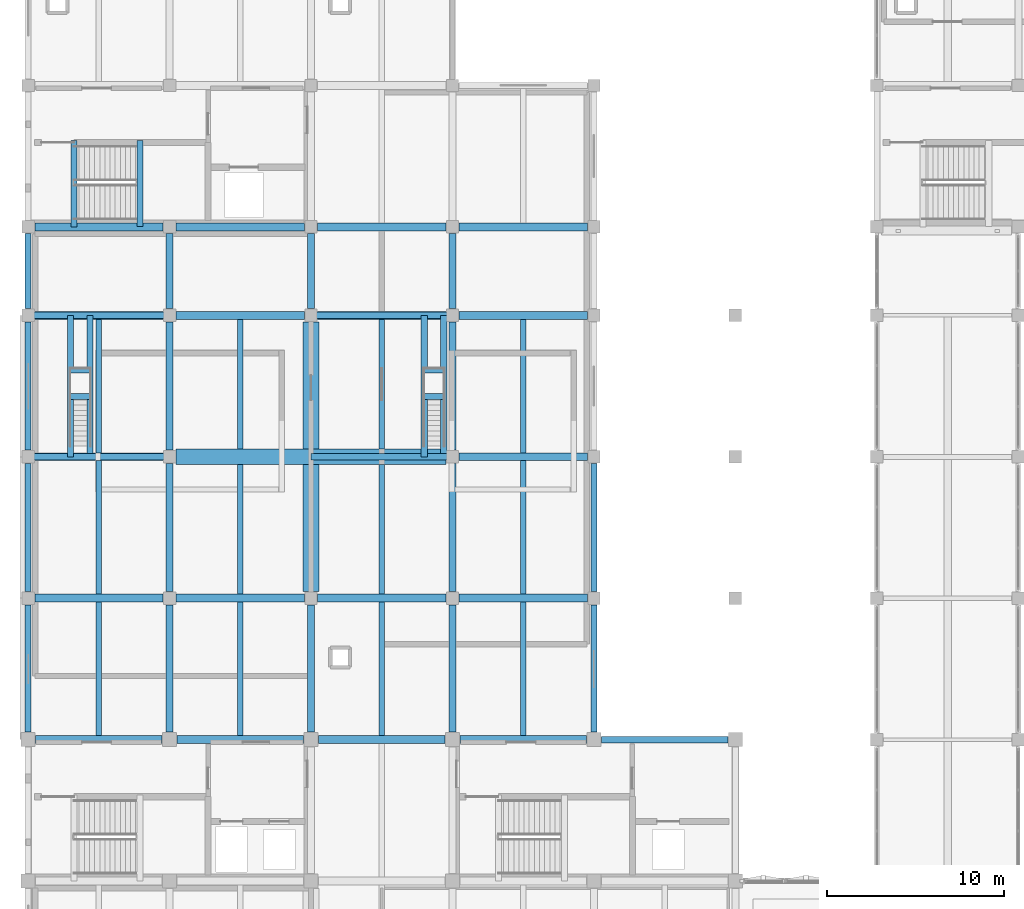
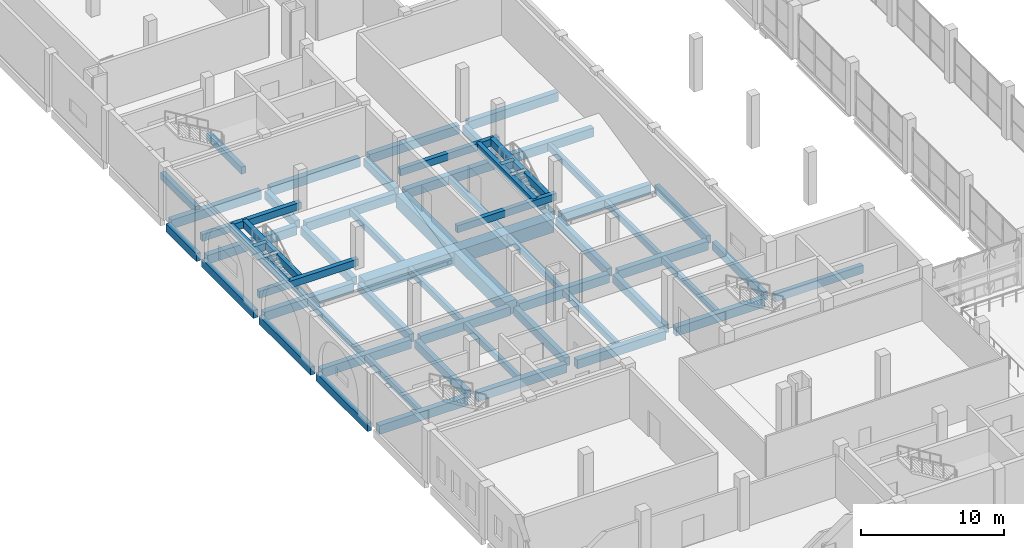
# One storey, part 9 of 45: 63 beams.
"""IFC4 building model written with IfcOpenShell, lengths in metres."""

import ifcopenshell
import ifcopenshell.guid

model = None  # the IFC model being written
_history = None  # IfcOwnerHistory: only IFC2X3 demands one
_inside = {}  # id of a spatial element -> (the spatial element, [elements in it])
_under = {}  # id of a project, library or spatial element -> (it, [spatial elements below it])
_declared = {}  # id of a project -> (the project, [libraries it declares])
_typed = {}  # id of a type object -> (the type object, [elements of that type])
_made_of = {}  # id of a material, layer set ... -> (it, [elements and type objects made of it])


def new_model(schema):
    """Start an empty IFC model of exactly this schema.

    Asked for "IFC4X3", IfcOpenShell would pick the latest addendum, in which some entities
    have other attributes; the version numbers below select the first issue.
    IFC2X3 requires an IfcOwnerHistory on every rooted entity: one is made here for all.
    """
    global model, _history
    if schema == "IFC4X3":
        model = ifcopenshell.file(schema_version=(4, 3, 0, 0))
    else:
        model = ifcopenshell.file(schema=schema)
    _inside.clear()
    _under.clear()
    _declared.clear()
    _typed.clear()
    _made_of.clear()
    _history = None
    if model.schema == "IFC2X3":
        org = make("IfcOrganization", Name="unknown")
        user = make(
            "IfcPersonAndOrganization",
            ThePerson=make("IfcPerson", FamilyName="unknown"),
            TheOrganization=org,
        )
        app = make(
            "IfcApplication",
            ApplicationDeveloper=org,
            Version="unknown",
            ApplicationFullName="unknown",
            ApplicationIdentifier="unknown",
        )
        _history = make(
            "IfcOwnerHistory",
            OwningUser=user,
            OwningApplication=app,
            ChangeAction="ADDED",
            CreationDate=0,
        )
    return model


def make(cls, **values):
    """One entity of the class cls with the attributes given. An attribute that is None is left unset."""
    return model.create_entity(
        cls, **{name: value for name, value in values.items() if value is not None}
    )


def rooted(cls, **values):
    """An entity with a GlobalId (a new one), such as an element, a storey or a relation."""
    return make(cls, GlobalId=ifcopenshell.guid.new(), OwnerHistory=_history, **values)


def si_unit(unit_type, name, prefix=None):
    """IfcSIUnit, for example si_unit("LENGTHUNIT", "METRE", prefix="MILLI")."""
    return make("IfcSIUnit", UnitType=unit_type, Prefix=prefix, Name=name)


def assignment(units):
    """IfcUnitAssignment: the units of a project."""
    return None if units is None else make("IfcUnitAssignment", Units=units)


def point(xyz):
    """IfcCartesianPoint."""
    return None if xyz is None else make("IfcCartesianPoint", Coordinates=xyz)


def direction(xyz):
    """IfcDirection."""
    return None if xyz is None else make("IfcDirection", DirectionRatios=xyz)


def frame(location, z_axis=None, x_axis=None):
    """IfcAxis2Placement3D, a coordinate frame: its origin and axes. An axis left out is left unset."""
    return make(
        "IfcAxis2Placement3D",
        Location=point(location),
        Axis=direction(z_axis),
        RefDirection=direction(x_axis),
    )


def frame_2d(location, x_axis=None):
    """IfcAxis2Placement2D, a coordinate frame in the plane: its origin and x axis."""
    return make(
        "IfcAxis2Placement2D", Location=point(location), RefDirection=direction(x_axis)
    )


def origin():
    """The frame at (0, 0, 0) with its axes left unset."""
    return frame((0.0, 0.0, 0.0))


def origin_2d():
    """The frame at (0, 0) in the plane with its x axis left unset."""
    return frame_2d((0.0, 0.0))


def place(relative_to, where):
    """IfcLocalPlacement: puts the frame where relative to a parent placement (None: the world)."""
    return make(
        "IfcLocalPlacement", PlacementRelTo=relative_to, RelativePlacement=where
    )


def context(
    kind, dimensions, precision=None, world=None, true_north=None, identifier=None
):
    """IfcGeometricRepresentationContext, for example the 3D "Model" context."""
    return make(
        "IfcGeometricRepresentationContext",
        ContextIdentifier=identifier,
        ContextType=kind,
        CoordinateSpaceDimension=dimensions,
        Precision=precision,
        WorldCoordinateSystem=world,
        TrueNorth=true_north,
    )


def subcontext(parent, identifier, kind, view, scale=None):
    """IfcGeometricRepresentationSubContext, for example "Body" below "Model"."""
    return make(
        "IfcGeometricRepresentationSubContext",
        ContextIdentifier=identifier,
        ContextType=kind,
        ParentContext=parent,
        TargetScale=scale,
        TargetView=view,
    )


def project(units=None, contexts=None):
    """IfcProject with its units and contexts."""
    return rooted(
        "IfcProject",
        Name="project",
        RepresentationContexts=contexts,
        UnitsInContext=assignment(units),
    )


def spatial(cls, under=None, at=None, **own):
    """A site, building, storey or space (cls), placed at a placement, below another one or the project."""
    s = rooted(cls, ObjectPlacement=at, **own)
    if under is not None:
        _under.setdefault(under.id(), (under, []))[1].append(s)
    return s


def profile(cls, at=None, kind="AREA", **sizes):
    """A parametric profile (cls). Its sizes go by their IFC names, for example OverallWidth=200.0."""
    return make(cls, ProfileType=kind, Position=at, **sizes)


def rectangle(**sizes):
    """IfcRectangleProfileDef."""
    return profile("IfcRectangleProfileDef", **sizes)


def extrude(swept, where, along, depth):
    """IfcExtrudedAreaSolid: the profile swept, set in the frame where, extruded along a direction by depth."""
    return make(
        "IfcExtrudedAreaSolid",
        SweptArea=swept,
        Position=where,
        ExtrudedDirection=direction(along),
        Depth=depth,
    )


def shape(context_of_items, identifier, shape_type, items):
    """IfcShapeRepresentation: the items that make up one representation, for example the "Body"."""
    return make(
        "IfcShapeRepresentation",
        ContextOfItems=context_of_items,
        RepresentationIdentifier=identifier,
        RepresentationType=shape_type,
        Items=items,
    )


def material(Name=None, Category=None):
    """IfcMaterial."""
    return make("IfcMaterial", Name=Name, Category=Category)


def material_profile(
    of_material, cross_section, Name=None, Category=None, Priority=None
):
    """IfcMaterialProfile: a cross section and its material."""
    return make(
        "IfcMaterialProfile",
        Name=Name,
        Material=of_material,
        Profile=cross_section,
        Priority=Priority,
        Category=Category,
    )


def profile_set(profiles, Name=None, composite=None):
    """IfcMaterialProfileSet."""
    return make(
        "IfcMaterialProfileSet",
        Name=Name,
        MaterialProfiles=profiles,
        CompositeProfile=composite,
    )


def made_of(thing, what):
    """Note that an element or type object is made of a material, layer set ...; save() writes the relation."""
    if what is not None:
        _made_of.setdefault(what.id(), (what, []))[1].append(thing)
    return thing


def type_object(cls, material=None, **own):
    """A type object (cls), such as IfcWallType, which elements share."""
    return made_of(rooted(cls, **own), material)


def element(
    cls,
    number,
    at=None,
    inside=None,
    cuts=None,
    type_object=None,
    material=None,
    context=None,
    identifier="Body",
    shape_type=None,
    held_by="IfcProductDefinitionShape",
    body=None,
    shapes=None,
    **own,
):
    """One element of the class cls, such as IfcWall. Its Tag is "e" and its number.

    at: its placement. inside: the storey or other place that contains it. cuts: it is an
    opening in that element (IfcRelVoidsElement). A single representation is given by context,
    identifier, shape_type and body (its items); several are given by shapes. held_by: the class
    of the entity that holds the representations. save() writes the other relations.
    """
    e = rooted(cls, Tag="e%d" % number, ObjectPlacement=at, **own)
    if body is not None:
        shapes = [shape(context, identifier, shape_type, body)]
    if shapes is not None:
        e.Representation = make(held_by, Representations=shapes)
    if inside is not None:
        _inside.setdefault(inside.id(), (inside, []))[1].append(e)
    if cuts is not None:
        rooted(
            "IfcRelVoidsElement", RelatingBuildingElement=cuts, RelatedOpeningElement=e
        )
    if type_object is not None:
        _typed.setdefault(type_object.id(), (type_object, []))[1].append(e)
    return made_of(e, material)


def aggregate(whole, parts):
    """IfcRelAggregates: a whole, such as a stair, and the parts it consists of."""
    return rooted("IfcRelAggregates", RelatingObject=whole, RelatedObjects=parts)


def save(model, path):
    """Write the relations noted so far, then the file.

    IfcRelAggregates (storeys below a building ...), IfcRelContainedInSpatialStructure (elements
    in a storey), IfcRelDefinesByType, IfcRelAssociatesMaterial and IfcRelDeclares: one each for
    every whole, place, type object, material and project.
    """
    for whole, parts in _under.values():
        aggregate(whole, parts)
    for where, things in _inside.values():
        rooted(
            "IfcRelContainedInSpatialStructure",
            RelatedElements=things,
            RelatingStructure=where,
        )
    for kind, things in _typed.values():
        rooted("IfcRelDefinesByType", RelatedObjects=things, RelatingType=kind)
    for what, things in _made_of.values():
        rooted("IfcRelAssociatesMaterial", RelatedObjects=things, RelatingMaterial=what)
    for by, libraries in _declared.values():
        rooted("IfcRelDeclares", RelatingContext=by, RelatedDefinitions=libraries)
    model.write(path)


model = new_model("IFC4")

# Units and contexts
model_context = context("Model", 3, precision=1e-05, world=origin(), true_north=direction((0.0, 1.0)))
body_context = subcontext(model_context, "Body", "Model", "MODEL_VIEW")
ifc_project = project(units=[si_unit("LENGTHUNIT", "METRE"), si_unit("AREAUNIT", "SQUARE_METRE"), si_unit("VOLUMEUNIT", "CUBIC_METRE"), si_unit("PLANEANGLEUNIT", "RADIAN"), si_unit("MASSUNIT", "GRAM", prefix="KILO")], contexts=[model_context])

# Site, building, storey
site_placement = place(None, origin())
site = spatial("IfcSite", under=ifc_project, at=site_placement, CompositionType="ELEMENT")
building_placement = place(site_placement, origin())
building = spatial("IfcBuilding", under=site, at=building_placement, Name="Qorikala Patio Media Centre", CompositionType="ELEMENT")
storey_placement = place(building_placement, frame((0.0, 0.0, 9.89990234375)))
storey = spatial("IfcBuildingStorey", under=building, at=storey_placement, Name="L02", CompositionType="ELEMENT", Elevation=9.89990234375)

# Beams
ifc_material = material(Name="Concrete C35/45", Category="concrete")
ifc_material_profile_1 = material_profile(ifc_material, rectangle(XDim=0.35009765625, YDim=0.60009765625, at=origin_2d()), Name="RC 350x600")
ifc_profile_set_1 = profile_set([ifc_material_profile_1], Name="Concrete C35/45")
beam_type_1 = type_object("IfcBeamType", Name="BM-G350X600", PredefinedType="BEAM", material=ifc_profile_set_1)
beam_1_placement = place(storey_placement, frame((5.60009765625, 64.0, -0.2998046875), z_axis=(0.0, 1.0, 0.0), x_axis=(-1.0, 0.0, 0.0)))
element("IfcBeam", 1, at=beam_1_placement, inside=storey, type_object=beam_type_1, Name="L02 ST-3 Well Trimmer Beam", PredefinedType="BEAM", context=body_context, shape_type="SweptSolid", body=[
    extrude(rectangle(XDim=0.35009765625, YDim=0.60009765625, at=origin_2d()), origin(), (0.0, 0.0, 1.0), 4.8798828125),
])
beam_2_placement = place(storey_placement, frame((9.330078125, 64.02001953125, 1.75), z_axis=(0.0, 1.0, 0.0), x_axis=(-1.0, 0.0, 0.0)))
element("IfcBeam", 2, at=beam_2_placement, inside=storey, type_object=beam_type_1, Name="L02 ST-3 Landing Beam 1", PredefinedType="BEAM", context=body_context, shape_type="SweptSolid", body=[
    extrude(rectangle(XDim=0.35009765625, YDim=0.60009765625, at=origin_2d()), origin(), (0.0, 0.0, 1.0), 4.85986328125),
])
for number, where, z_axis, x_axis, name in (
    (3, (3.0, 51.0, 1.300048828125), (1.0, 0.0, 0.0), (0.0, 1.0, 0.0), "Vomitory VS-03 Transverse Grid Beam S"),
    (4, (3.0, 59.0, 1.300048828125), (1.0, 0.0, 0.0), (0.0, 1.0, 0.0), "Vomitory VS-03 Transverse Grid Beam N"),
    (5, (5.39990234375, 51.0, 1.300048828125), (0.0, 1.0, 0.0), (-1.0, 0.0, 0.0), "Vomitory VS-03 Longitudinal Stringer L"),
    (6, (6.5, 51.0, 1.300048828125), (0.0, 1.0, 0.0), (-1.0, 0.0, 0.0), "Vomitory VS-03 Longitudinal Stringer R"),
):
    element("IfcBeam", number, at=place(storey_placement, frame(where, z_axis=z_axis, x_axis=x_axis)), inside=storey, type_object=beam_type_1, Name=name, PredefinedType="BEAM", context=body_context, shape_type="SweptSolid", body=[
        extrude(rectangle(XDim=0.35009765625, YDim=0.60009765625, at=origin_2d()), origin(), (0.0, 0.0, 1.0), 8.0),
    ])
for number, where, z_axis, x_axis, name in (
    (7, (5.39990234375, 54.39990234375, 1.300048828125), (1.0, 0.0, 0.0), (0.0, 1.0, 0.0), "Vomitory VS-03 Landing Cross Beam FR"),
    (8, (5.39990234375, 55.89990234375, 1.300048828125), (1.0, 0.0, 0.0), (0.0, 1.0, 0.0), "Vomitory VS-03 Landing Cross Beam BK"),
):
    element("IfcBeam", number, at=place(storey_placement, frame(where, z_axis=z_axis, x_axis=x_axis)), inside=storey, type_object=beam_type_1, Name=name, PredefinedType="BEAM", context=body_context, shape_type="SweptSolid", body=[
        extrude(rectangle(XDim=0.35009765625, YDim=0.60009765625, at=origin_2d()), origin(), (0.0, 0.0, 1.0), 1.10009765625),
    ])
for number, where, z_axis, x_axis, name in (
    (9, (19.0, 51.0, 1.300048828125), (1.0, 0.0, 0.0), (0.0, 1.0, 0.0), "Vomitory VS-04 Transverse Grid Beam S"),
    (10, (19.0, 59.0, 1.300048828125), (1.0, 0.0, 0.0), (0.0, 1.0, 0.0), "Vomitory VS-04 Transverse Grid Beam N"),
    (11, (25.39990234375, 51.0, 1.300048828125), (0.0, 1.0, 0.0), (-1.0, 0.0, 0.0), "Vomitory VS-04 Longitudinal Stringer L"),
    (12, (26.5, 51.0, 1.300048828125), (0.0, 1.0, 0.0), (-1.0, 0.0, 0.0), "Vomitory VS-04 Longitudinal Stringer R"),
):
    element("IfcBeam", number, at=place(storey_placement, frame(where, z_axis=z_axis, x_axis=x_axis)), inside=storey, type_object=beam_type_1, Name=name, PredefinedType="BEAM", context=body_context, shape_type="SweptSolid", body=[
        extrude(rectangle(XDim=0.35009765625, YDim=0.60009765625, at=origin_2d()), origin(), (0.0, 0.0, 1.0), 8.0),
    ])
for number, where, z_axis, x_axis, name in (
    (13, (25.39990234375, 54.39990234375, 1.300048828125), (1.0, 0.0, 0.0), (0.0, 1.0, 0.0), "Vomitory VS-04 Landing Cross Beam FR"),
    (14, (25.39990234375, 55.89990234375, 1.300048828125), (1.0, 0.0, 0.0), (0.0, 1.0, 0.0), "Vomitory VS-04 Landing Cross Beam BK"),
):
    element("IfcBeam", number, at=place(storey_placement, frame(where, z_axis=z_axis, x_axis=x_axis)), inside=storey, type_object=beam_type_1, Name=name, PredefinedType="BEAM", context=body_context, shape_type="SweptSolid", body=[
        extrude(rectangle(XDim=0.35009765625, YDim=0.60009765625, at=origin_2d()), origin(), (0.0, 0.0, 1.0), 1.10009765625),
    ])
ifc_material_profile_2 = material_profile(ifc_material, rectangle(XDim=0.39990234375, YDim=0.699951171875, at=origin_2d()), Name="RC 400x700")
ifc_profile_set_2 = profile_set([ifc_material_profile_2], Name="Concrete C35/45")
beam_type_2 = type_object("IfcBeamType", Name="BM-G400X700", PredefinedType="BEAM", material=ifc_profile_set_2)
beam_3_placement = place(storey_placement, frame((11.0, 35.425048828125, -0.64990234375), z_axis=(0.0, 1.0, 0.0), x_axis=(-1.0, 0.0, 0.0)))
element("IfcBeam", 15, at=beam_3_placement, inside=storey, type_object=beam_type_2, Name="L02 Grid X=11 Beam 0904", PredefinedType="BEAM", context=body_context, shape_type="SweptSolid", body=[
    extrude(rectangle(XDim=0.39990234375, YDim=0.699951171875, at=origin_2d()), origin(), (0.0, 0.0, 1.0), 7.199951171875),
])
for number, where, z_axis, x_axis, name in (
    (16, (11.0, 43.375, -0.64990234375), (0.0, 1.0, 0.0), (-1.0, 0.0, 0.0), "L02 Grid X=11 Beam 0905"),
    (17, (11.0, 51.375, -0.64990234375), (0.0, 1.0, 0.0), (-1.0, 0.0, 0.0), "L02 Grid X=11 Beam 0906"),
):
    element("IfcBeam", number, at=place(storey_placement, frame(where, z_axis=z_axis, x_axis=x_axis)), inside=storey, type_object=beam_type_2, Name=name, PredefinedType="BEAM", context=body_context, shape_type="SweptSolid", body=[
        extrude(rectangle(XDim=0.39990234375, YDim=0.699951171875, at=origin_2d()), origin(), (0.0, 0.0, 1.0), 7.25),
    ])
beam_4_placement = place(storey_placement, frame((11.0, 59.375, -0.64990234375), z_axis=(0.0, 1.0, 0.0), x_axis=(-1.0, 0.0, 0.0)))
element("IfcBeam", 18, at=beam_4_placement, inside=storey, type_object=beam_type_2, Name="L02 Grid X=11 Beam 0907", PredefinedType="BEAM", context=body_context, shape_type="SweptSolid", body=[
    extrude(rectangle(XDim=0.39990234375, YDim=0.699951171875, at=origin_2d()), origin(), (0.0, 0.0, 1.0), 4.25),
])
beam_5_placement = place(storey_placement, frame((19.0, 35.425048828125, -0.64990234375), z_axis=(0.0, 1.0, 0.0), x_axis=(-1.0, 0.0, 0.0)))
element("IfcBeam", 19, at=beam_5_placement, inside=storey, type_object=beam_type_2, Name="L02 Grid X=19 Beam 0915", PredefinedType="BEAM", context=body_context, shape_type="SweptSolid", body=[
    extrude(rectangle(XDim=0.39990234375, YDim=0.699951171875, at=origin_2d()), origin(), (0.0, 0.0, 1.0), 7.199951171875),
])
beam_6_placement = place(storey_placement, frame((19.0, 59.375, -0.64990234375), z_axis=(0.0, 1.0, 0.0), x_axis=(-1.0, 0.0, 0.0)))
element("IfcBeam", 20, at=beam_6_placement, inside=storey, type_object=beam_type_2, Name="L02 Grid X=19 Beam 0917", PredefinedType="BEAM", context=body_context, shape_type="SweptSolid", body=[
    extrude(rectangle(XDim=0.39990234375, YDim=0.699951171875, at=origin_2d()), origin(), (0.0, 0.0, 1.0), 4.25),
])
beam_7_placement = place(storey_placement, frame((27.0, 35.425048828125, -0.64990234375), z_axis=(0.0, 1.0, 0.0), x_axis=(-1.0, 0.0, 0.0)))
element("IfcBeam", 21, at=beam_7_placement, inside=storey, type_object=beam_type_2, Name="L02 Grid X=27 Beam 0926", PredefinedType="BEAM", context=body_context, shape_type="SweptSolid", body=[
    extrude(rectangle(XDim=0.39990234375, YDim=0.699951171875, at=origin_2d()), origin(), (0.0, 0.0, 1.0), 7.199951171875),
])
for number, where, z_axis, x_axis, name in (
    (22, (27.0, 43.375, -0.64990234375), (0.0, 1.0, 0.0), (-1.0, 0.0, 0.0), "L02 Grid X=27 Beam 0927"),
    (23, (27.0, 51.375, -0.64990234375), (0.0, 1.0, 0.0), (-1.0, 0.0, 0.0), "L02 Grid X=27 Beam 0928"),
):
    element("IfcBeam", number, at=place(storey_placement, frame(where, z_axis=z_axis, x_axis=x_axis)), inside=storey, type_object=beam_type_2, Name=name, PredefinedType="BEAM", context=body_context, shape_type="SweptSolid", body=[
        extrude(rectangle(XDim=0.39990234375, YDim=0.699951171875, at=origin_2d()), origin(), (0.0, 0.0, 1.0), 7.25),
    ])
beam_8_placement = place(storey_placement, frame((27.0, 59.375, -0.64990234375), z_axis=(0.0, 1.0, 0.0), x_axis=(-1.0, 0.0, 0.0)))
element("IfcBeam", 24, at=beam_8_placement, inside=storey, type_object=beam_type_2, Name="L02 Grid X=27 Beam 0929", PredefinedType="BEAM", context=body_context, shape_type="SweptSolid", body=[
    extrude(rectangle(XDim=0.39990234375, YDim=0.699951171875, at=origin_2d()), origin(), (0.0, 0.0, 1.0), 4.25),
])
ifc_material_profile_3 = material_profile(ifc_material, rectangle(XDim=0.449951171875, YDim=0.75, at=origin_2d()), Name="RC 450x750")
ifc_profile_set_3 = profile_set([ifc_material_profile_3], Name="Concrete C35/45")
beam_type_3 = type_object("IfcBeamType", Name="BM-G450X750", PredefinedType="BEAM", material=ifc_profile_set_3)
for number, where, z_axis, x_axis, name in (
    (25, (3.425048828125, 35.0, -0.6748046875), (1.0, 0.0, 0.0), (0.0, 1.0, 0.0), "L02 Grid 35 Beam 0834"),
    (26, (11.425048828125, 35.0, -0.6748046875), (1.0, 0.0, 0.0), (0.0, 1.0, 0.0), "L02 Grid 35 Beam 0835"),
    (27, (19.425048828125, 35.0, -0.6748046875), (1.0, 0.0, 0.0), (0.0, 1.0, 0.0), "L02 Grid 35 Beam 0836"),
    (28, (27.425048828125, 35.0, -0.6748046875), (1.0, 0.0, 0.0), (0.0, 1.0, 0.0), "L02 Grid 35 Beam 0837"),
):
    element("IfcBeam", number, at=place(storey_placement, frame(where, z_axis=z_axis, x_axis=x_axis)), inside=storey, type_object=beam_type_3, Name=name, PredefinedType="BEAM", context=body_context, shape_type="SweptSolid", body=[
        extrude(rectangle(XDim=0.449951171875, YDim=0.75, at=origin_2d()), origin(), (0.0, 0.0, 1.0), 7.14990234375),
    ])
for number, where, z_axis, x_axis, name in (
    (29, (3.375, 43.0, -0.6748046875), (1.0, 0.0, 0.0), (0.0, 1.0, 0.0), "L02 Grid 43 Beam 0840"),
    (30, (11.375, 43.0, -0.6748046875), (1.0, 0.0, 0.0), (0.0, 1.0, 0.0), "L02 Grid 43 Beam 0841"),
    (31, (19.375, 43.0, -0.6748046875), (1.0, 0.0, 0.0), (0.0, 1.0, 0.0), "L02 Grid 43 Beam 0842"),
    (32, (27.375, 43.0, -0.6748046875), (1.0, 0.0, 0.0), (0.0, 1.0, 0.0), "L02 Grid 43 Beam 0843"),
    (33, (3.375, 51.0, -0.6748046875), (1.0, 0.0, 0.0), (0.0, 1.0, 0.0), "L02 Grid 51 Beam 0845"),
    (34, (27.375, 51.0, -0.6748046875), (1.0, 0.0, 0.0), (0.0, 1.0, 0.0), "L02 Grid 51 Beam 0847"),
    (35, (3.375, 59.0, -0.6748046875), (1.0, 0.0, 0.0), (0.0, 1.0, 0.0), "L02 Grid 59 Beam 0849"),
    (36, (11.375, 59.0, -0.6748046875), (1.0, 0.0, 0.0), (0.0, 1.0, 0.0), "L02 Grid 59 Beam 0850"),
    (37, (19.375, 59.0, -0.6748046875), (1.0, 0.0, 0.0), (0.0, 1.0, 0.0), "L02 Grid 59 Beam 0851"),
    (38, (27.375, 59.0, -0.6748046875), (1.0, 0.0, 0.0), (0.0, 1.0, 0.0), "L02 Grid 59 Beam 0852"),
    (39, (3.375, 64.0, -0.6748046875), (1.0, 0.0, 0.0), (0.0, 1.0, 0.0), "L02 Grid 64 Beam 0854"),
    (40, (11.375, 64.0, -0.6748046875), (1.0, 0.0, 0.0), (0.0, 1.0, 0.0), "L02 Grid 64 Beam 0855"),
    (41, (19.375, 64.0, -0.6748046875), (1.0, 0.0, 0.0), (0.0, 1.0, 0.0), "L02 Grid 64 Beam 0856"),
    (42, (27.375, 64.0, -0.6748046875), (1.0, 0.0, 0.0), (0.0, 1.0, 0.0), "L02 Grid 64 Beam 0857"),
):
    element("IfcBeam", number, at=place(storey_placement, frame(where, z_axis=z_axis, x_axis=x_axis)), inside=storey, type_object=beam_type_3, Name=name, PredefinedType="BEAM", context=body_context, shape_type="SweptSolid", body=[
        extrude(rectangle(XDim=0.449951171875, YDim=0.75, at=origin_2d()), origin(), (0.0, 0.0, 1.0), 7.25),
    ])
ifc_material_profile_4 = material_profile(ifc_material, rectangle(XDim=0.89990234375, YDim=1.14990234375, at=origin_2d()), Name="RC 900x1150")
ifc_profile_set_4 = profile_set([ifc_material_profile_4], Name="Concrete C35/45")
beam_type_4 = type_object("IfcBeamType", Name="BM-TR900X1150", PredefinedType="BEAM", material=ifc_profile_set_4)
for number, where, z_axis, x_axis, name in (
    (43, (11.375, 51.0, -0.875), (1.0, 0.0, 0.0), (0.0, 1.0, 0.0), "L02 Grid 51 Beam 0846"),
    (44, (19.0, 43.375, -0.875), (0.0, 1.0, 0.0), (-1.0, 0.0, 0.0), "L02 Grid X=19 Transfer Girder 0916"),
):
    element("IfcBeam", number, at=place(storey_placement, frame(where, z_axis=z_axis, x_axis=x_axis)), inside=storey, type_object=beam_type_4, Name=name, PredefinedType="BEAM", context=body_context, shape_type="SweptSolid", body=[
        extrude(rectangle(XDim=0.89990234375, YDim=1.14990234375, at=origin_2d()), origin(), (0.0, 0.0, 1.0), 15.25),
    ])
ifc_material_profile_5 = material_profile(ifc_material, rectangle(XDim=0.300048828125, YDim=0.550048828125, at=origin_2d()), Name="RC 300x550")
ifc_profile_set_5 = profile_set([ifc_material_profile_5], Name="Concrete C35/45")
beam_type_5 = type_object("IfcBeamType", Name="JS-300X550", PredefinedType="JOIST", material=ifc_profile_set_5)
for number, where, z_axis, x_axis, name in (
    (45, (7.0, 35.22509765625, -0.574951171875), (0.0, 1.0, 0.0), (-1.0, 0.0, 0.0), "L02 Secondary Joist 1015"),
    (46, (7.0, 43.22509765625, -0.574951171875), (0.0, 1.0, 0.0), (-1.0, 0.0, 0.0), "L02 Secondary Joist 1016"),
    (47, (7.0, 51.22509765625, -0.574951171875), (0.0, 1.0, 0.0), (-1.0, 0.0, 0.0), "L02 Secondary Joist 1017"),
    (48, (15.0, 35.22509765625, -0.574951171875), (0.0, 1.0, 0.0), (-1.0, 0.0, 0.0), "L02 Secondary Joist 1025"),
):
    element("IfcBeam", number, at=place(storey_placement, frame(where, z_axis=z_axis, x_axis=x_axis)), inside=storey, type_object=beam_type_5, Name=name, PredefinedType="JOIST", context=body_context, shape_type="SweptSolid", body=[
        extrude(rectangle(XDim=0.300048828125, YDim=0.550048828125, at=origin_2d()), origin(), (0.0, 0.0, 1.0), 7.5498046875),
    ])
for number, where, z_axis, x_axis, name in (
    (49, (15.0, 43.22509765625, -0.574951171875), (0.0, 1.0, 0.0), (-1.0, 0.0, 0.0), "L02 Secondary Joist 1026"),
    (50, (15.0, 51.449951171875, -0.574951171875), (0.0, 1.0, 0.0), (-1.0, 0.0, 0.0), "L02 Secondary Joist 1027"),
):
    element("IfcBeam", number, at=place(storey_placement, frame(where, z_axis=z_axis, x_axis=x_axis)), inside=storey, type_object=beam_type_5, Name=name, PredefinedType="JOIST", context=body_context, shape_type="SweptSolid", body=[
        extrude(rectangle(XDim=0.300048828125, YDim=0.550048828125, at=origin_2d()), origin(), (0.0, 0.0, 1.0), 7.324951171875),
    ])
beam_9_placement = place(storey_placement, frame((23.0, 35.22509765625, -0.574951171875), z_axis=(0.0, 1.0, 0.0), x_axis=(-1.0, 0.0, 0.0)))
element("IfcBeam", 51, at=beam_9_placement, inside=storey, type_object=beam_type_5, Name="L02 Secondary Joist 1036", PredefinedType="JOIST", context=body_context, shape_type="SweptSolid", body=[
    extrude(rectangle(XDim=0.300048828125, YDim=0.550048828125, at=origin_2d()), origin(), (0.0, 0.0, 1.0), 7.5498046875),
])
for number, where, z_axis, x_axis, name in (
    (52, (23.0, 43.22509765625, -0.574951171875), (0.0, 1.0, 0.0), (-1.0, 0.0, 0.0), "L02 Secondary Joist 1037"),
    (53, (23.0, 51.449951171875, -0.574951171875), (0.0, 1.0, 0.0), (-1.0, 0.0, 0.0), "L02 Secondary Joist 1038"),
):
    element("IfcBeam", number, at=place(storey_placement, frame(where, z_axis=z_axis, x_axis=x_axis)), inside=storey, type_object=beam_type_5, Name=name, PredefinedType="JOIST", context=body_context, shape_type="SweptSolid", body=[
        extrude(rectangle(XDim=0.300048828125, YDim=0.550048828125, at=origin_2d()), origin(), (0.0, 0.0, 1.0), 7.324951171875),
    ])
for number, where, z_axis, x_axis, name in (
    (54, (31.0, 35.22509765625, -0.574951171875), (0.0, 1.0, 0.0), (-1.0, 0.0, 0.0), "L02 Secondary Joist 1046"),
    (55, (31.0, 43.22509765625, -0.574951171875), (0.0, 1.0, 0.0), (-1.0, 0.0, 0.0), "L02 Secondary Joist 1047"),
    (56, (31.0, 51.22509765625, -0.574951171875), (0.0, 1.0, 0.0), (-1.0, 0.0, 0.0), "L02 Secondary Joist 1048"),
):
    element("IfcBeam", number, at=place(storey_placement, frame(where, z_axis=z_axis, x_axis=x_axis)), inside=storey, type_object=beam_type_5, Name=name, PredefinedType="JOIST", context=body_context, shape_type="SweptSolid", body=[
        extrude(rectangle(XDim=0.300048828125, YDim=0.550048828125, at=origin_2d()), origin(), (0.0, 0.0, 1.0), 7.5498046875),
    ])
ifc_material_profile_6 = material_profile(ifc_material, rectangle(XDim=0.35009765625, YDim=0.679931640625, at=origin_2d()), Name="RC 350x680")
ifc_profile_set_6 = profile_set([ifc_material_profile_6], Name="Concrete C35/45")
beam_type_6 = type_object("IfcBeamType", Name="SP-350X680", PredefinedType="SPANDREL", material=ifc_profile_set_6)
beam_10_placement = place(storey_placement, frame((35.425048828125, 35.0, -0.639892578125), z_axis=(1.0, 0.0, 0.0), x_axis=(0.0, 1.0, 0.0)))
element("IfcBeam", 57, at=beam_10_placement, inside=storey, type_object=beam_type_6, Name="L02 Grid 35 Beam 0838", PredefinedType="SPANDREL", context=body_context, shape_type="SweptSolid", body=[
    extrude(rectangle(XDim=0.35009765625, YDim=0.679931640625, at=origin_2d()), origin(), (0.0, 0.0, 1.0), 7.14990234375),
])
beam_11_placement = place(storey_placement, frame((3.0, 35.425048828125, -0.639892578125), z_axis=(0.0, 1.0, 0.0), x_axis=(-1.0, 0.0, 0.0)))
element("IfcBeam", 58, at=beam_11_placement, inside=storey, type_object=beam_type_6, Name="L02 Grid X=3 Beam 0892", PredefinedType="SPANDREL", context=body_context, shape_type="SweptSolid", body=[
    extrude(rectangle(XDim=0.35009765625, YDim=0.679931640625, at=origin_2d()), origin(), (0.0, 0.0, 1.0), 7.199951171875),
])
for number, where, z_axis, x_axis, name in (
    (59, (3.0, 43.375, -0.639892578125), (0.0, 1.0, 0.0), (-1.0, 0.0, 0.0), "L02 Grid X=3 Beam 0893"),
    (60, (3.0, 51.375, -0.639892578125), (0.0, 1.0, 0.0), (-1.0, 0.0, 0.0), "L02 Grid X=3 Beam 0894"),
):
    element("IfcBeam", number, at=place(storey_placement, frame(where, z_axis=z_axis, x_axis=x_axis)), inside=storey, type_object=beam_type_6, Name=name, PredefinedType="SPANDREL", context=body_context, shape_type="SweptSolid", body=[
        extrude(rectangle(XDim=0.35009765625, YDim=0.679931640625, at=origin_2d()), origin(), (0.0, 0.0, 1.0), 7.25),
    ])
beam_12_placement = place(storey_placement, frame((3.0, 59.375, -0.639892578125), z_axis=(0.0, 1.0, 0.0), x_axis=(-1.0, 0.0, 0.0)))
element("IfcBeam", 61, at=beam_12_placement, inside=storey, type_object=beam_type_6, Name="L02 Grid X=3 Beam 0895", PredefinedType="SPANDREL", context=body_context, shape_type="SweptSolid", body=[
    extrude(rectangle(XDim=0.35009765625, YDim=0.679931640625, at=origin_2d()), origin(), (0.0, 0.0, 1.0), 4.25),
])
beam_13_placement = place(storey_placement, frame((35.0, 35.425048828125, -0.639892578125), z_axis=(0.0, 1.0, 0.0), x_axis=(-1.0, 0.0, 0.0)))
element("IfcBeam", 62, at=beam_13_placement, inside=storey, type_object=beam_type_6, Name="L02 Grid X=35 Beam 0937", PredefinedType="SPANDREL", context=body_context, shape_type="SweptSolid", body=[
    extrude(rectangle(XDim=0.35009765625, YDim=0.679931640625, at=origin_2d()), origin(), (0.0, 0.0, 1.0), 7.199951171875),
])
beam_14_placement = place(storey_placement, frame((35.0, 43.375, -0.639892578125), z_axis=(0.0, 1.0, 0.0), x_axis=(-1.0, 0.0, 0.0)))
element("IfcBeam", 63, at=beam_14_placement, inside=storey, type_object=beam_type_6, Name="L02 Grid X=35 Beam 0938", PredefinedType="SPANDREL", context=body_context, shape_type="SweptSolid", body=[
    extrude(rectangle(XDim=0.35009765625, YDim=0.679931640625, at=origin_2d()), origin(), (0.0, 0.0, 1.0), 7.25),
])

save(model, "model.ifc")
